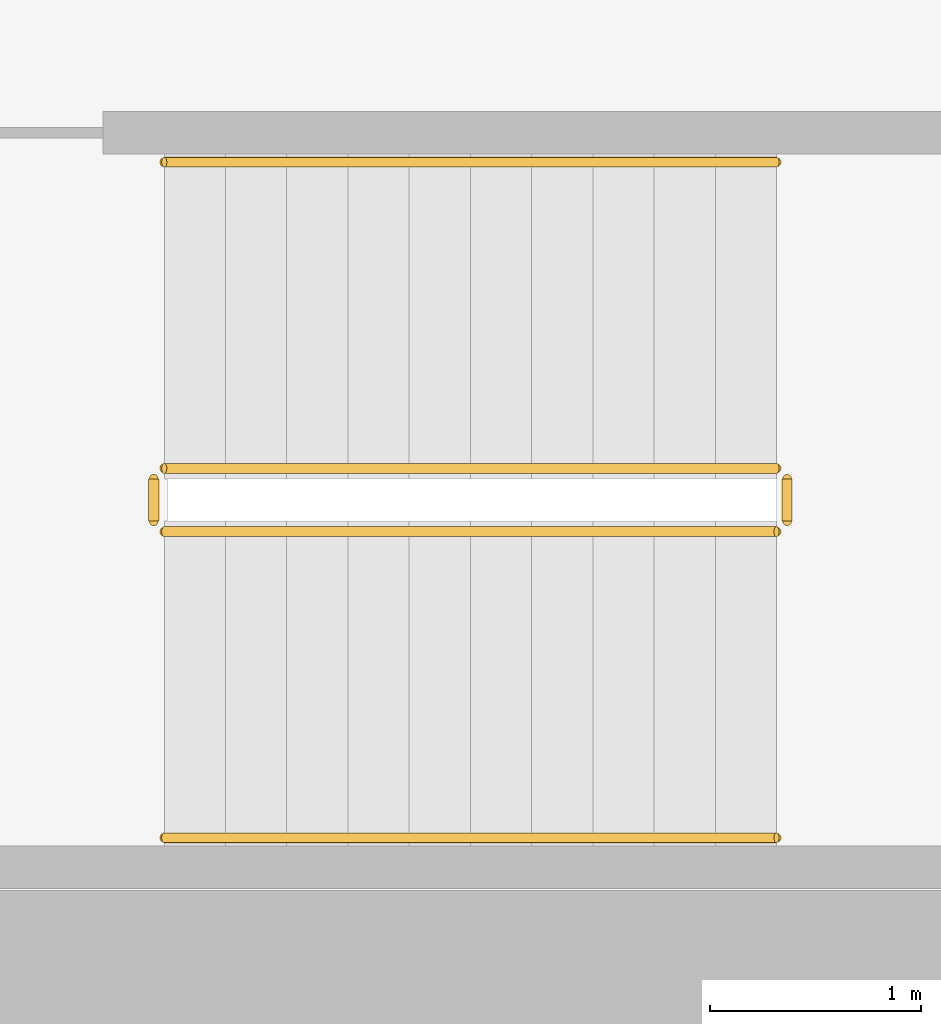
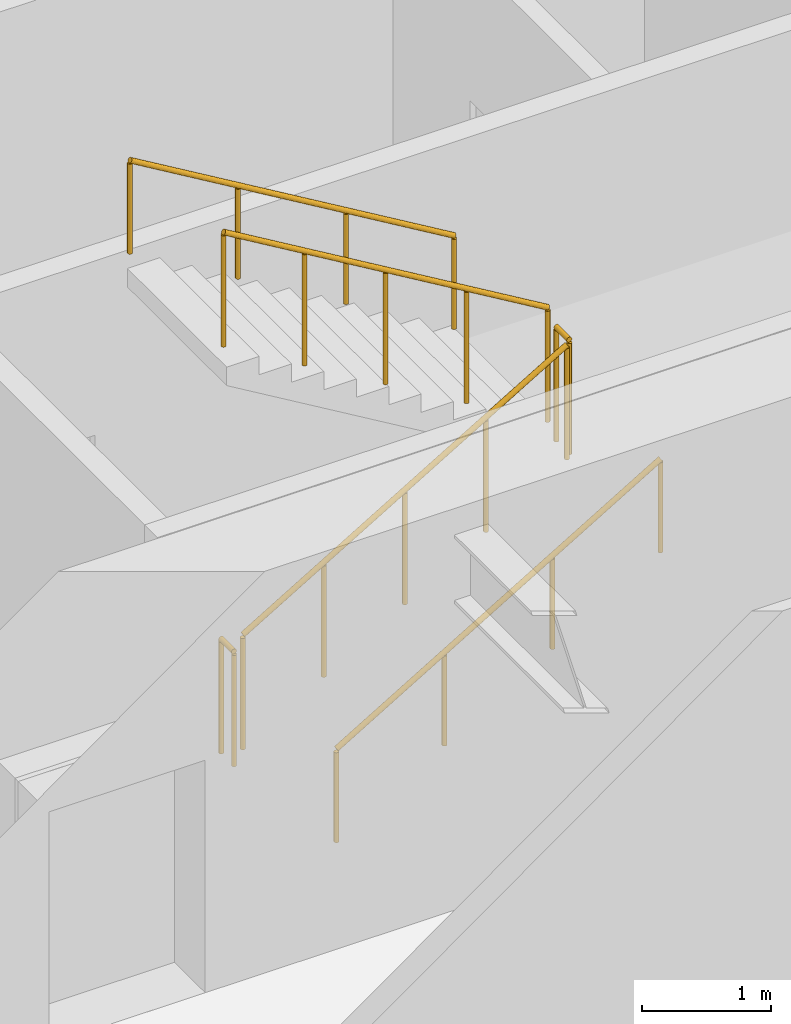
# One storey, part 19 of 20: 6 railings.
"""IFC4 building model written with IfcOpenShell, lengths in metres."""

from ifc_helpers import new_model, si_unit, direction, frame, origin, origin_2d, place, context, subcontext, project, spatial, circle, extrude, material, type_object, element, save


model = new_model("IFC4")

# Units and contexts
model_context = context("Model", 3, precision=1e-05, world=origin(), true_north=direction((0.0, 1.0)))
body_context = subcontext(model_context, "Body", "Model", "MODEL_VIEW")
ifc_project = project(units=[si_unit("LENGTHUNIT", "METRE"), si_unit("AREAUNIT", "SQUARE_METRE"), si_unit("VOLUMEUNIT", "CUBIC_METRE"), si_unit("PLANEANGLEUNIT", "RADIAN"), si_unit("MASSUNIT", "GRAM", prefix="KILO")], contexts=[model_context])

# Site, building, storey
site_placement = place(None, origin())
site = spatial("IfcSite", under=ifc_project, at=site_placement, CompositionType="ELEMENT")
building_placement = place(site_placement, origin())
building = spatial("IfcBuilding", under=site, at=building_placement, Name="Putna Gate Headquarters", CompositionType="ELEMENT")
storey_placement = place(building_placement, frame((0.0, 0.0, 50.60009765625)))
storey = spatial("IfcBuildingStorey", under=building, at=storey_placement, Name="L11", CompositionType="ELEMENT", Elevation=50.60009765625)

# Railings
ifc_material_1 = material(Name="Powder-coated steel stair guardrail", Category="steel")
railing_type_1 = type_object("IfcRailingType", Name="RAIL-STAIR-GUARD-1100", PredefinedType="GUARDRAIL", material=ifc_material_1)
railing_1_placement = place(storey_placement, frame((57.89990234375, 21.10009765625, 0.172607421875)))
element("IfcRailing", 1, at=railing_1_placement, inside=storey, type_object=railing_type_1, Name="L11 ST2 stair guard 1", PredefinedType="GUARDRAIL", context=body_context, shape_type="SweptSolid", body=[
    extrude(circle(Radius=0.02392578125, at=origin_2d()), frame((0.0, 0.0, 1.076171875), z_axis=(0.859160404282, 0.0, 0.51170636083), x_axis=(0.0, 1.0, 0.0)), (0.0, 0.0, 1.0), 3.37548828125),
    extrude(circle(Radius=0.02099609375, at=origin_2d()), origin(), (0.0, 0.0, 1.0), 1.052001953125),
    extrude(circle(Radius=0.02099609375, at=origin_2d()), frame((0.72509765625, 0.0, 0.431884765625)), (0.0, 0.0, 1.0), 1.052001953125),
    extrude(circle(Radius=0.02099609375, at=origin_2d()), frame((1.4501953125, 0.0, 0.86376953125)), (0.0, 0.0, 1.0), 1.052001953125),
    extrude(circle(Radius=0.02099609375, at=origin_2d()), frame((2.175048828125, 0.0, 1.29541015625)), (0.0, 0.0, 1.0), 1.052001953125),
    extrude(circle(Radius=0.02099609375, at=origin_2d()), frame((2.900146484375, 0.0, 1.727294921875)), (0.0, 0.0, 1.0), 1.052001953125),
])
railing_2_placement = place(storey_placement, frame((60.85009765625, 21.14990234375, 1.89990234375)))
element("IfcRailing", 2, at=railing_2_placement, inside=storey, type_object=railing_type_1, Name="L11 ST2 stair guard 2", PredefinedType="GUARDRAIL", context=body_context, shape_type="SweptSolid", body=[
    extrude(circle(Radius=0.02392578125, at=origin_2d()), frame((0.0, 0.0, 1.076171875), z_axis=(0.0, 1.0, 0.0), x_axis=(-1.0, 0.0, 0.0)), (0.0, 0.0, 1.0), 0.2001953125),
    extrude(circle(Radius=0.02099609375, at=origin_2d()), origin(), (0.0, 0.0, 1.0), 1.052001953125),
    extrude(circle(Radius=0.02099609375, at=origin_2d()), frame((0.0, 0.2001953125, 0.0)), (0.0, 0.0, 1.0), 1.052001953125),
])
railing_3_placement = place(storey_placement, frame((60.800048828125, 21.39990234375, 2.072509765625)))
element("IfcRailing", 3, at=railing_3_placement, inside=storey, type_object=railing_type_1, Name="L11 ST2 stair guard 3", PredefinedType="GUARDRAIL", context=body_context, shape_type="SweptSolid", body=[
    extrude(circle(Radius=0.02392578125, at=origin_2d()), frame((0.0, 0.0, 1.076171875), z_axis=(-0.859160404282, 0.0, 0.51170636083), x_axis=(0.0, -1.0, 0.0)), (0.0, 0.0, 1.0), 3.37548828125),
    extrude(circle(Radius=0.02099609375, at=origin_2d()), origin(), (0.0, 0.0, 1.0), 1.052001953125),
    extrude(circle(Radius=0.02099609375, at=origin_2d()), frame((-0.72509765625, 0.0, 0.431884765625)), (0.0, 0.0, 1.0), 1.052001953125),
    extrude(circle(Radius=0.02099609375, at=origin_2d()), frame((-1.4501953125, 0.0, 0.86376953125)), (0.0, 0.0, 1.0), 1.052001953125),
    extrude(circle(Radius=0.02099609375, at=origin_2d()), frame((-2.175048828125, 0.0, 1.29541015625)), (0.0, 0.0, 1.0), 1.052001953125),
    extrude(circle(Radius=0.02099609375, at=origin_2d()), frame((-2.900146484375, 0.0, 1.727294921875)), (0.0, 0.0, 1.0), 1.052001953125),
])
railing_4_placement = place(storey_placement, frame((57.85009765625, 21.14990234375, 0.0)))
element("IfcRailing", 4, at=railing_4_placement, inside=storey, type_object=railing_type_1, Name="L11 ST2 stair guard 4", PredefinedType="GUARDRAIL", context=body_context, shape_type="SweptSolid", body=[
    extrude(circle(Radius=0.02392578125, at=origin_2d()), frame((0.0, 0.0, 1.076171875), z_axis=(0.0, 1.0, 0.0), x_axis=(-1.0, 0.0, 0.0)), (0.0, 0.0, 1.0), 0.2001953125),
    extrude(circle(Radius=0.02099609375, at=origin_2d()), origin(), (0.0, 0.0, 1.0), 1.052001953125),
    extrude(circle(Radius=0.02099609375, at=origin_2d()), frame((0.0, 0.2001953125, 0.0)), (0.0, 0.0, 1.0), 1.052001953125),
])
ifc_material_2 = material(Name="Brushed stainless steel handrail", Category="steel")
railing_type_2 = type_object("IfcRailingType", Name="RAIL-STAIR-HAND-900", PredefinedType="HANDRAIL", material=ifc_material_2)
railing_5_placement = place(storey_placement, frame((57.89990234375, 19.64990234375, 0.172607421875)))
element("IfcRailing", 5, at=railing_5_placement, inside=storey, type_object=railing_type_2, Name="L11 ST2 stair handrail 1", PredefinedType="HANDRAIL", context=body_context, shape_type="SweptSolid", body=[
    extrude(circle(Radius=0.02392578125, at=origin_2d()), frame((0.0, 0.0, 0.8759765625), z_axis=(0.859160404282, 0.0, 0.51170636083), x_axis=(0.0, 1.0, 0.0)), (0.0, 0.0, 1.0), 3.37548828125),
    extrude(circle(Radius=0.02099609375, at=origin_2d()), origin(), (0.0, 0.0, 1.0), 0.851806640625),
    extrude(circle(Radius=0.02099609375, at=origin_2d()), frame((0.966796875, 0.0, 0.57568359375)), (0.0, 0.0, 1.0), 0.851806640625),
    extrude(circle(Radius=0.02099609375, at=origin_2d()), frame((1.933349609375, 0.0, 1.151611328125)), (0.0, 0.0, 1.0), 0.851806640625),
    extrude(circle(Radius=0.02099609375, at=origin_2d()), frame((2.900146484375, 0.0, 1.727294921875)), (0.0, 0.0, 1.0), 0.851806640625),
])
railing_6_placement = place(storey_placement, frame((60.800048828125, 22.85009765625, 2.072509765625)))
element("IfcRailing", 6, at=railing_6_placement, inside=storey, type_object=railing_type_2, Name="L11 ST2 stair handrail 2", PredefinedType="HANDRAIL", context=body_context, shape_type="SweptSolid", body=[
    extrude(circle(Radius=0.02392578125, at=origin_2d()), frame((0.0, 0.0, 0.8759765625), z_axis=(-0.859160404282, 0.0, 0.51170636083), x_axis=(0.0, -1.0, 0.0)), (0.0, 0.0, 1.0), 3.37548828125),
    extrude(circle(Radius=0.02099609375, at=origin_2d()), origin(), (0.0, 0.0, 1.0), 0.851806640625),
    extrude(circle(Radius=0.02099609375, at=origin_2d()), frame((-0.966796875, 0.0, 0.57568359375)), (0.0, 0.0, 1.0), 0.851806640625),
    extrude(circle(Radius=0.02099609375, at=origin_2d()), frame((-1.933349609375, 0.0, 1.151611328125)), (0.0, 0.0, 1.0), 0.851806640625),
    extrude(circle(Radius=0.02099609375, at=origin_2d()), frame((-2.900146484375, 0.0, 1.727294921875)), (0.0, 0.0, 1.0), 0.851806640625),
])

save(model, "model.ifc")
